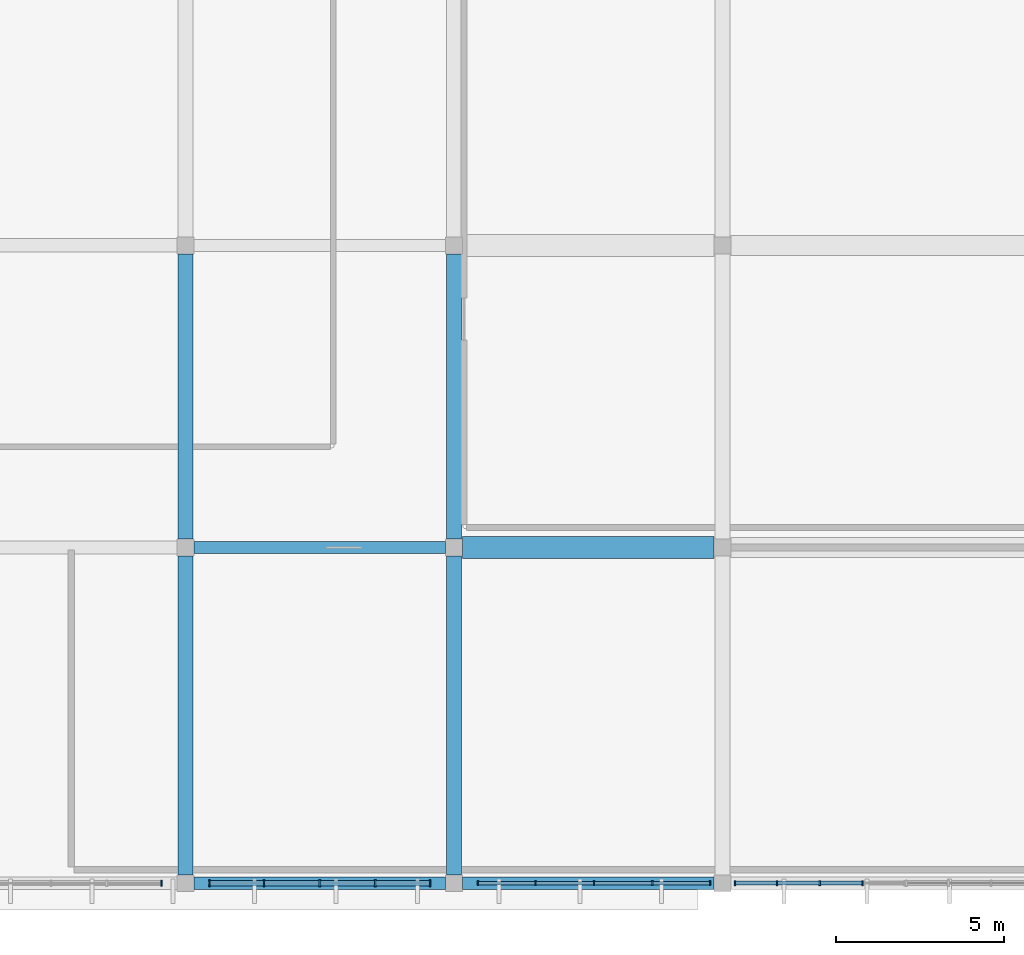
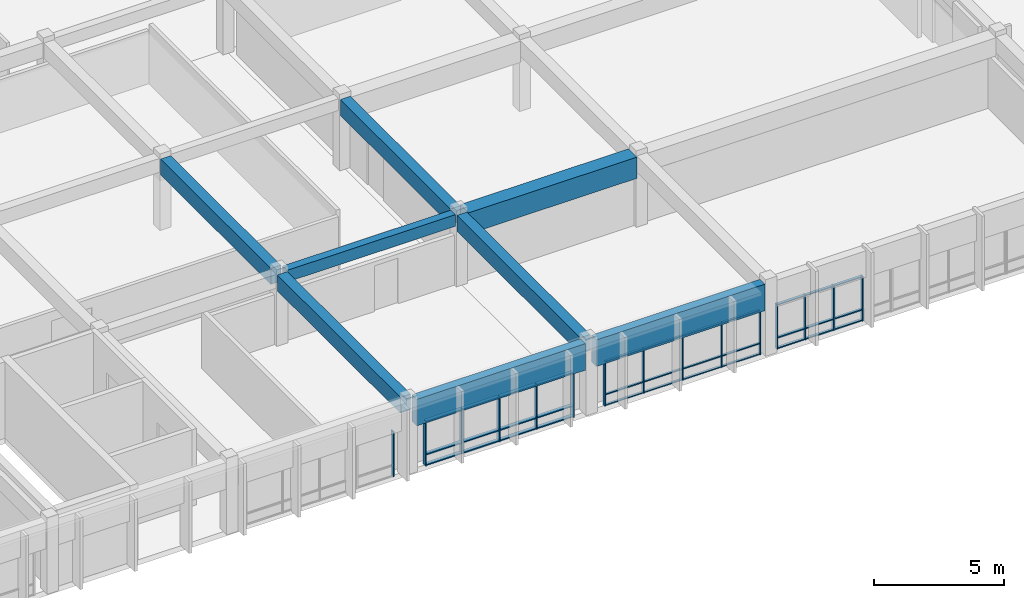
# One storey, part 8 of 33: 48 members, 8 beams, 4 elements without a shape of their own.
"""IFC4 building model written with IfcOpenShell, lengths in metres."""

import ifcopenshell
import ifcopenshell.guid

model = None  # the IFC model being written
_history = None  # IfcOwnerHistory: only IFC2X3 demands one
_inside = {}  # id of a spatial element -> (the spatial element, [elements in it])
_under = {}  # id of a project, library or spatial element -> (it, [spatial elements below it])
_declared = {}  # id of a project -> (the project, [libraries it declares])
_typed = {}  # id of a type object -> (the type object, [elements of that type])
_made_of = {}  # id of a material, layer set ... -> (it, [elements and type objects made of it])


def new_model(schema):
    """Start an empty IFC model of exactly this schema.

    Asked for "IFC4X3", IfcOpenShell would pick the latest addendum, in which some entities
    have other attributes; the version numbers below select the first issue.
    IFC2X3 requires an IfcOwnerHistory on every rooted entity: one is made here for all.
    """
    global model, _history
    if schema == "IFC4X3":
        model = ifcopenshell.file(schema_version=(4, 3, 0, 0))
    else:
        model = ifcopenshell.file(schema=schema)
    _inside.clear()
    _under.clear()
    _declared.clear()
    _typed.clear()
    _made_of.clear()
    _history = None
    if model.schema == "IFC2X3":
        org = make("IfcOrganization", Name="unknown")
        user = make(
            "IfcPersonAndOrganization",
            ThePerson=make("IfcPerson", FamilyName="unknown"),
            TheOrganization=org,
        )
        app = make(
            "IfcApplication",
            ApplicationDeveloper=org,
            Version="unknown",
            ApplicationFullName="unknown",
            ApplicationIdentifier="unknown",
        )
        _history = make(
            "IfcOwnerHistory",
            OwningUser=user,
            OwningApplication=app,
            ChangeAction="ADDED",
            CreationDate=0,
        )
    return model


def make(cls, **values):
    """One entity of the class cls with the attributes given. An attribute that is None is left unset."""
    return model.create_entity(
        cls, **{name: value for name, value in values.items() if value is not None}
    )


def rooted(cls, **values):
    """An entity with a GlobalId (a new one), such as an element, a storey or a relation."""
    return make(cls, GlobalId=ifcopenshell.guid.new(), OwnerHistory=_history, **values)


def si_unit(unit_type, name, prefix=None):
    """IfcSIUnit, for example si_unit("LENGTHUNIT", "METRE", prefix="MILLI")."""
    return make("IfcSIUnit", UnitType=unit_type, Prefix=prefix, Name=name)


def assignment(units):
    """IfcUnitAssignment: the units of a project."""
    return None if units is None else make("IfcUnitAssignment", Units=units)


def point(xyz):
    """IfcCartesianPoint."""
    return None if xyz is None else make("IfcCartesianPoint", Coordinates=xyz)


def direction(xyz):
    """IfcDirection."""
    return None if xyz is None else make("IfcDirection", DirectionRatios=xyz)


def frame(location, z_axis=None, x_axis=None):
    """IfcAxis2Placement3D, a coordinate frame: its origin and axes. An axis left out is left unset."""
    return make(
        "IfcAxis2Placement3D",
        Location=point(location),
        Axis=direction(z_axis),
        RefDirection=direction(x_axis),
    )


def frame_2d(location, x_axis=None):
    """IfcAxis2Placement2D, a coordinate frame in the plane: its origin and x axis."""
    return make(
        "IfcAxis2Placement2D", Location=point(location), RefDirection=direction(x_axis)
    )


def origin():
    """The frame at (0, 0, 0) with its axes left unset."""
    return frame((0.0, 0.0, 0.0))


def origin_2d():
    """The frame at (0, 0) in the plane with its x axis left unset."""
    return frame_2d((0.0, 0.0))


def place(relative_to, where):
    """IfcLocalPlacement: puts the frame where relative to a parent placement (None: the world)."""
    return make(
        "IfcLocalPlacement", PlacementRelTo=relative_to, RelativePlacement=where
    )


def context(
    kind, dimensions, precision=None, world=None, true_north=None, identifier=None
):
    """IfcGeometricRepresentationContext, for example the 3D "Model" context."""
    return make(
        "IfcGeometricRepresentationContext",
        ContextIdentifier=identifier,
        ContextType=kind,
        CoordinateSpaceDimension=dimensions,
        Precision=precision,
        WorldCoordinateSystem=world,
        TrueNorth=true_north,
    )


def subcontext(parent, identifier, kind, view, scale=None):
    """IfcGeometricRepresentationSubContext, for example "Body" below "Model"."""
    return make(
        "IfcGeometricRepresentationSubContext",
        ContextIdentifier=identifier,
        ContextType=kind,
        ParentContext=parent,
        TargetScale=scale,
        TargetView=view,
    )


def project(units=None, contexts=None):
    """IfcProject with its units and contexts."""
    return rooted(
        "IfcProject",
        Name="project",
        RepresentationContexts=contexts,
        UnitsInContext=assignment(units),
    )


def spatial(cls, under=None, at=None, **own):
    """A site, building, storey or space (cls), placed at a placement, below another one or the project."""
    s = rooted(cls, ObjectPlacement=at, **own)
    if under is not None:
        _under.setdefault(under.id(), (under, []))[1].append(s)
    return s


def profile(cls, at=None, kind="AREA", **sizes):
    """A parametric profile (cls). Its sizes go by their IFC names, for example OverallWidth=200.0."""
    return make(cls, ProfileType=kind, Position=at, **sizes)


def rectangle(**sizes):
    """IfcRectangleProfileDef."""
    return profile("IfcRectangleProfileDef", **sizes)


def extrude(swept, where, along, depth):
    """IfcExtrudedAreaSolid: the profile swept, set in the frame where, extruded along a direction by depth."""
    return make(
        "IfcExtrudedAreaSolid",
        SweptArea=swept,
        Position=where,
        ExtrudedDirection=direction(along),
        Depth=depth,
    )


def shape(context_of_items, identifier, shape_type, items):
    """IfcShapeRepresentation: the items that make up one representation, for example the "Body"."""
    return make(
        "IfcShapeRepresentation",
        ContextOfItems=context_of_items,
        RepresentationIdentifier=identifier,
        RepresentationType=shape_type,
        Items=items,
    )


def material(Name=None, Category=None):
    """IfcMaterial."""
    return make("IfcMaterial", Name=Name, Category=Category)


def material_profile(
    of_material, cross_section, Name=None, Category=None, Priority=None
):
    """IfcMaterialProfile: a cross section and its material."""
    return make(
        "IfcMaterialProfile",
        Name=Name,
        Material=of_material,
        Profile=cross_section,
        Priority=Priority,
        Category=Category,
    )


def profile_set(profiles, Name=None, composite=None):
    """IfcMaterialProfileSet."""
    return make(
        "IfcMaterialProfileSet",
        Name=Name,
        MaterialProfiles=profiles,
        CompositeProfile=composite,
    )


def made_of(thing, what):
    """Note that an element or type object is made of a material, layer set ...; save() writes the relation."""
    if what is not None:
        _made_of.setdefault(what.id(), (what, []))[1].append(thing)
    return thing


def type_object(cls, material=None, **own):
    """A type object (cls), such as IfcWallType, which elements share."""
    return made_of(rooted(cls, **own), material)


def element(
    cls,
    number,
    at=None,
    inside=None,
    cuts=None,
    type_object=None,
    material=None,
    context=None,
    identifier="Body",
    shape_type=None,
    held_by="IfcProductDefinitionShape",
    body=None,
    shapes=None,
    **own,
):
    """One element of the class cls, such as IfcWall. Its Tag is "e" and its number.

    at: its placement. inside: the storey or other place that contains it. cuts: it is an
    opening in that element (IfcRelVoidsElement). A single representation is given by context,
    identifier, shape_type and body (its items); several are given by shapes. held_by: the class
    of the entity that holds the representations. save() writes the other relations.
    """
    e = rooted(cls, Tag="e%d" % number, ObjectPlacement=at, **own)
    if body is not None:
        shapes = [shape(context, identifier, shape_type, body)]
    if shapes is not None:
        e.Representation = make(held_by, Representations=shapes)
    if inside is not None:
        _inside.setdefault(inside.id(), (inside, []))[1].append(e)
    if cuts is not None:
        rooted(
            "IfcRelVoidsElement", RelatingBuildingElement=cuts, RelatedOpeningElement=e
        )
    if type_object is not None:
        _typed.setdefault(type_object.id(), (type_object, []))[1].append(e)
    return made_of(e, material)


def aggregate(whole, parts):
    """IfcRelAggregates: a whole, such as a stair, and the parts it consists of."""
    return rooted("IfcRelAggregates", RelatingObject=whole, RelatedObjects=parts)


def save(model, path):
    """Write the relations noted so far, then the file.

    IfcRelAggregates (storeys below a building ...), IfcRelContainedInSpatialStructure (elements
    in a storey), IfcRelDefinesByType, IfcRelAssociatesMaterial and IfcRelDeclares: one each for
    every whole, place, type object, material and project.
    """
    for whole, parts in _under.values():
        aggregate(whole, parts)
    for where, things in _inside.values():
        rooted(
            "IfcRelContainedInSpatialStructure",
            RelatedElements=things,
            RelatingStructure=where,
        )
    for kind, things in _typed.values():
        rooted("IfcRelDefinesByType", RelatedObjects=things, RelatingType=kind)
    for what, things in _made_of.values():
        rooted("IfcRelAssociatesMaterial", RelatedObjects=things, RelatingMaterial=what)
    for by, libraries in _declared.values():
        rooted("IfcRelDeclares", RelatingContext=by, RelatedDefinitions=libraries)
    model.write(path)


model = new_model("IFC4")

# Units and contexts
model_context = context("Model", 3, precision=1e-05, world=origin(), true_north=direction((0.0, 1.0)))
body_context = subcontext(model_context, "Body", "Model", "MODEL_VIEW")
ifc_project = project(units=[si_unit("LENGTHUNIT", "METRE"), si_unit("AREAUNIT", "SQUARE_METRE"), si_unit("VOLUMEUNIT", "CUBIC_METRE"), si_unit("PLANEANGLEUNIT", "RADIAN"), si_unit("MASSUNIT", "GRAM", prefix="KILO")], contexts=[model_context])

# Site, building, storey
site_placement = place(None, origin())
site = spatial("IfcSite", under=ifc_project, at=site_placement, CompositionType="ELEMENT")
building_placement = place(site_placement, origin())
building = spatial("IfcBuilding", under=site, at=building_placement, Name="Larkveld Mobility Hub", CompositionType="ELEMENT")
storey_placement = place(building_placement, frame((0.0, 0.0, 15.60009765625)))
storey = spatial("IfcBuildingStorey", under=building, at=storey_placement, Name="L04", CompositionType="ELEMENT", Elevation=15.60009765625)

# Beams
ifc_material_1 = material(Name="Concrete C40/50", Category="concrete")
ifc_material_profile_1 = material_profile(ifc_material_1, rectangle(XDim=0.35009765625, YDim=0.550048828125, at=origin_2d()), Name="RC BM 350x550")
ifc_profile_set_1 = profile_set([ifc_material_profile_1], Name="Concrete C40/50")
beam_type_1 = type_object("IfcBeamType", Name="BM-RC3555", PredefinedType="BEAM", material=ifc_profile_set_1)
beam_1_placement = place(storey_placement, frame((136.25, 10.0, 3.0849609375), z_axis=(1.0, 0.0, 0.0), x_axis=(0.0, 1.0, 0.0)))
element("IfcBeam", 1, at=beam_1_placement, inside=storey, type_object=beam_type_1, Name="Primary E-W Girder L04-0863", PredefinedType="BEAM", context=body_context, shape_type="SweptSolid", body=[
    extrude(rectangle(XDim=0.35009765625, YDim=0.550048828125, at=origin_2d()), origin(), (0.0, 0.0, 1.0), 7.5),
])
ifc_material_profile_2 = material_profile(ifc_material_1, rectangle(XDim=0.449951171875, YDim=0.75, at=origin_2d()), Name="RC BM 450x750")
ifc_profile_set_2 = profile_set([ifc_material_profile_2], Name="Concrete C40/50")
beam_type_2 = type_object("IfcBeamType", Name="BM-RC4575", PredefinedType="BEAM", material=ifc_profile_set_2)
beam_2_placement = place(storey_placement, frame((136.0, 0.25, 2.98486328125), z_axis=(0.0, 1.0, 0.0), x_axis=(-1.0, 0.0, 0.0)))
element("IfcBeam", 2, at=beam_2_placement, inside=storey, type_object=beam_type_2, Name="Primary N-S Girder L04-0918", PredefinedType="BEAM", context=body_context, shape_type="SweptSolid", body=[
    extrude(rectangle(XDim=0.449951171875, YDim=0.75, at=origin_2d()), origin(), (0.0, 0.0, 1.0), 9.5),
])
beam_3_placement = place(storey_placement, frame((136.0, 10.25, 2.98486328125), z_axis=(0.0, 1.0, 0.0), x_axis=(-1.0, 0.0, 0.0)))
element("IfcBeam", 3, at=beam_3_placement, inside=storey, type_object=beam_type_2, Name="Primary N-S Girder L04-0919", PredefinedType="BEAM", context=body_context, shape_type="SweptSolid", body=[
    extrude(rectangle(XDim=0.449951171875, YDim=0.75, at=origin_2d()), origin(), (0.0, 0.0, 1.0), 8.5),
])
beam_4_placement = place(storey_placement, frame((144.0, 0.25, 2.98486328125), z_axis=(0.0, 1.0, 0.0), x_axis=(-1.0, 0.0, 0.0)))
element("IfcBeam", 4, at=beam_4_placement, inside=storey, type_object=beam_type_2, Name="Primary N-S Girder L04-0923", PredefinedType="BEAM", context=body_context, shape_type="SweptSolid", body=[
    extrude(rectangle(XDim=0.449951171875, YDim=0.75, at=origin_2d()), origin(), (0.0, 0.0, 1.0), 9.5),
])
beam_5_placement = place(storey_placement, frame((144.0, 10.25, 2.98486328125), z_axis=(0.0, 1.0, 0.0), x_axis=(-1.0, 0.0, 0.0)))
element("IfcBeam", 5, at=beam_5_placement, inside=storey, type_object=beam_type_2, Name="Primary N-S Girder L04-0924", PredefinedType="BEAM", context=body_context, shape_type="SweptSolid", body=[
    extrude(rectangle(XDim=0.449951171875, YDim=0.75, at=origin_2d()), origin(), (0.0, 0.0, 1.0), 8.5),
])
ifc_material_profile_3 = material_profile(ifc_material_1, rectangle(XDim=0.64990234375, YDim=1.0, at=origin_2d()), Name="RC BM 650x1000")
ifc_profile_set_3 = profile_set([ifc_material_profile_3], Name="Concrete C40/50")
beam_type_3 = type_object("IfcBeamType", Name="BM-RC65100", PredefinedType="BEAM", material=ifc_profile_set_3)
beam_6_placement = place(storey_placement, frame((144.25, 10.0, 2.85986328125), z_axis=(1.0, 0.0, 0.0), x_axis=(0.0, 1.0, 0.0)))
element("IfcBeam", 6, at=beam_6_placement, inside=storey, type_object=beam_type_3, Name="Primary E-W Girder L04-0864", PredefinedType="BEAM", context=body_context, shape_type="SweptSolid", body=[
    extrude(rectangle(XDim=0.64990234375, YDim=1.0, at=origin_2d()), origin(), (0.0, 0.0, 1.0), 7.5),
])
ifc_material_2 = material(Name="Precast concrete C50/60", Category="concrete")
ifc_material_profile_4 = material_profile(ifc_material_2, rectangle(XDim=0.3798828125, YDim=1.25, at=origin_2d()), Name="PC SP 380x1250")
ifc_profile_set_4 = profile_set([ifc_material_profile_4], Name="Precast concrete C50/60")
beam_type_4 = type_object("IfcBeamType", Name="BM-SP38125", PredefinedType="SPANDREL", material=ifc_profile_set_4)
for number, where, z_axis, x_axis, name in (
    (7, (136.25, 0.0, 2.73486328125), (1.0, 0.0, 0.0), (0.0, 1.0, 0.0), "Primary E-W Girder L04-0857"),
    (8, (144.25, 0.0, 2.73486328125), (1.0, 0.0, 0.0), (0.0, 1.0, 0.0), "Primary E-W Girder L04-0858"),
):
    element("IfcBeam", number, at=place(storey_placement, frame(where, z_axis=z_axis, x_axis=x_axis)), inside=storey, type_object=beam_type_4, Name=name, PredefinedType="SPANDREL", context=body_context, shape_type="SweptSolid", body=[
        extrude(rectangle(XDim=0.3798828125, YDim=1.25, at=origin_2d()), origin(), (0.0, 0.0, 1.0), 7.5),
    ])

# Curtain wall, members
ifc_material_3 = material(Name="Anodised aluminium 6063-T6", Category="aluminium")
curtain_wall_type_1 = type_object("IfcCurtainWallType", Name="CW-SYS-09", PredefinedType="NOTDEFINED", material=ifc_material_3)
curtain_wall_1_placement = place(storey_placement, origin())
curtain_wall_1 = element("IfcCurtainWall", 9, at=curtain_wall_1_placement, inside=storey, type_object=curtain_wall_type_1, Name="Service Wing South Glazing L04 CW-129", PredefinedType="NOTDEFINED")
ifc_material_profile_5 = material_profile(ifc_material_3, rectangle(XDim=0.050048828125, YDim=0.14990234375, at=origin_2d()), Name="ALU MULL 50x150")
ifc_profile_set_5 = profile_set([ifc_material_profile_5], Name="Anodised aluminium 6063-T6")
member_type_1 = type_object("IfcMemberType", Name="CW-MUL-01", PredefinedType="MULLION", material=ifc_profile_set_5)
member_1_placement = place(storey_placement, frame((152.375, 0.0, -0.002197265625), z_axis=(0.0, 0.0, 1.0), x_axis=(1.0, 0.0, 0.0)))
member_1 = element("IfcMember", 10, at=member_1_placement, type_object=member_type_1, Name="CW09 mullion 1", PredefinedType="MULLION", context=body_context, shape_type="SweptSolid", body=[
    extrude(rectangle(XDim=0.050048828125, YDim=0.14990234375, at=origin_2d()), origin(), (0.0, 0.0, 1.0), 2.112060546875),
])
member_2_placement = place(storey_placement, frame((153.625, 0.0, -0.002197265625), z_axis=(0.0, 0.0, 1.0), x_axis=(1.0, 0.0, 0.0)))
member_2 = element("IfcMember", 11, at=member_2_placement, type_object=member_type_1, Name="CW09 mullion 2", PredefinedType="MULLION", context=body_context, shape_type="SweptSolid", body=[
    extrude(rectangle(XDim=0.050048828125, YDim=0.14990234375, at=origin_2d()), origin(), (0.0, 0.0, 1.0), 2.112060546875),
])
member_3_placement = place(storey_placement, frame((154.89990234375, 0.0, -0.002197265625), z_axis=(0.0, 0.0, 1.0), x_axis=(1.0, 0.0, 0.0)))
member_3 = element("IfcMember", 12, at=member_3_placement, type_object=member_type_1, Name="CW09 mullion 3", PredefinedType="MULLION", context=body_context, shape_type="SweptSolid", body=[
    extrude(rectangle(XDim=0.050048828125, YDim=0.14990234375, at=origin_2d()), origin(), (0.0, 0.0, 1.0), 2.112060546875),
])
member_4_placement = place(storey_placement, frame((156.175048828125, 0.0, -0.002197265625), z_axis=(0.0, 0.0, 1.0), x_axis=(1.0, 0.0, 0.0)))
member_4 = element("IfcMember", 13, at=member_4_placement, type_object=member_type_1, Name="CW09 mullion 4", PredefinedType="MULLION", context=body_context, shape_type="SweptSolid", body=[
    extrude(rectangle(XDim=0.050048828125, YDim=0.14990234375, at=origin_2d()), origin(), (0.0, 0.0, 1.0), 2.112060546875),
])

# Curtain wall, member
curtain_wall_type_2 = type_object("IfcCurtainWallType", Name="CW-SYS-06", PredefinedType="NOTDEFINED", material=ifc_material_3)
curtain_wall_2_placement = place(storey_placement, origin())
curtain_wall_2 = element("IfcCurtainWall", 14, at=curtain_wall_2_placement, inside=storey, type_object=curtain_wall_type_2, Name="Service Centre South Curtain Wall L04 CW-126", PredefinedType="NOTDEFINED")
ifc_material_profile_6 = material_profile(ifc_material_3, rectangle(XDim=0.050048828125, YDim=0.179931640625, at=origin_2d()), Name="ALU MULL 50x180")
ifc_profile_set_6 = profile_set([ifc_material_profile_6], Name="Anodised aluminium 6063-T6")
member_type_2 = type_object("IfcMemberType", Name="CW-MUL-02", PredefinedType="MULLION", material=ifc_profile_set_6)
member_5_placement = place(storey_placement, frame((135.284912109375, 0.0, -0.002197265625), z_axis=(0.0, 0.0, 1.0), x_axis=(1.0, 0.0, 0.0)))
member_5 = element("IfcMember", 15, at=member_5_placement, type_object=member_type_2, Name="CW06 mullion 5", PredefinedType="MULLION", context=body_context, shape_type="SweptSolid", body=[
    extrude(rectangle(XDim=0.050048828125, YDim=0.179931640625, at=origin_2d()), origin(), (0.0, 0.0, 1.0), 2.112060546875),
])
aggregate(curtain_wall_2, [member_5])

# Curtain wall, members
curtain_wall_type_3 = type_object("IfcCurtainWallType", Name="CW-SYS-07", PredefinedType="NOTDEFINED", material=ifc_material_3)
curtain_wall_3_placement = place(storey_placement, origin())
curtain_wall_3 = element("IfcCurtainWall", 16, at=curtain_wall_3_placement, inside=storey, type_object=curtain_wall_type_3, Name="Service Centre South Curtain Wall L04 CW-127", PredefinedType="NOTDEFINED")
ifc_material_profile_7 = material_profile(ifc_material_3, rectangle(XDim=0.050048828125, YDim=0.2099609375, at=origin_2d()), Name="ALU MULL 50x210")
ifc_profile_set_7 = profile_set([ifc_material_profile_7], Name="Anodised aluminium 6063-T6")
member_type_3 = type_object("IfcMemberType", Name="CW-MUL-03", PredefinedType="MULLION", material=ifc_profile_set_7)
member_6_placement = place(storey_placement, frame((136.715087890625, 0.0, -0.002197265625), z_axis=(0.0, 0.0, 1.0), x_axis=(1.0, 0.0, 0.0)))
member_6 = element("IfcMember", 17, at=member_6_placement, type_object=member_type_3, Name="CW07 mullion 1", PredefinedType="MULLION", context=body_context, shape_type="SweptSolid", body=[
    extrude(rectangle(XDim=0.050048828125, YDim=0.2099609375, at=origin_2d()), origin(), (0.0, 0.0, 1.0), 2.112060546875),
])
member_7_placement = place(storey_placement, frame((138.344970703125, 0.0, -0.002197265625), z_axis=(0.0, 0.0, 1.0), x_axis=(1.0, 0.0, 0.0)))
member_7 = element("IfcMember", 18, at=member_7_placement, type_object=member_type_3, Name="CW07 mullion 2", PredefinedType="MULLION", context=body_context, shape_type="SweptSolid", body=[
    extrude(rectangle(XDim=0.050048828125, YDim=0.2099609375, at=origin_2d()), origin(), (0.0, 0.0, 1.0), 2.112060546875),
])
member_8_placement = place(storey_placement, frame((140.0, 0.0, -0.002197265625), z_axis=(0.0, 0.0, 1.0), x_axis=(1.0, 0.0, 0.0)))
member_8 = element("IfcMember", 19, at=member_8_placement, type_object=member_type_3, Name="CW07 mullion 3", PredefinedType="MULLION", context=body_context, shape_type="SweptSolid", body=[
    extrude(rectangle(XDim=0.050048828125, YDim=0.2099609375, at=origin_2d()), origin(), (0.0, 0.0, 1.0), 2.112060546875),
])
member_9_placement = place(storey_placement, frame((141.655029296875, 0.0, -0.002197265625), z_axis=(0.0, 0.0, 1.0), x_axis=(1.0, 0.0, 0.0)))
member_9 = element("IfcMember", 20, at=member_9_placement, type_object=member_type_3, Name="CW07 mullion 4", PredefinedType="MULLION", context=body_context, shape_type="SweptSolid", body=[
    extrude(rectangle(XDim=0.050048828125, YDim=0.2099609375, at=origin_2d()), origin(), (0.0, 0.0, 1.0), 2.112060546875),
])
member_10_placement = place(storey_placement, frame((143.284912109375, 0.0, -0.002197265625), z_axis=(0.0, 0.0, 1.0), x_axis=(1.0, 0.0, 0.0)))
member_10 = element("IfcMember", 21, at=member_10_placement, type_object=member_type_3, Name="CW07 mullion 5", PredefinedType="MULLION", context=body_context, shape_type="SweptSolid", body=[
    extrude(rectangle(XDim=0.050048828125, YDim=0.2099609375, at=origin_2d()), origin(), (0.0, 0.0, 1.0), 2.112060546875),
])

curtain_wall_type_4 = type_object("IfcCurtainWallType", Name="CW-SYS-08", PredefinedType="NOTDEFINED", material=ifc_material_3)
curtain_wall_4_placement = place(storey_placement, origin())
curtain_wall_4 = element("IfcCurtainWall", 22, at=curtain_wall_4_placement, inside=storey, type_object=curtain_wall_type_4, Name="Service Centre South Curtain Wall L04 CW-128", PredefinedType="NOTDEFINED")
ifc_material_profile_8 = material_profile(ifc_material_3, rectangle(XDim=0.050048828125, YDim=0.1298828125, at=origin_2d()), Name="ALU MULL 50x130")
ifc_profile_set_8 = profile_set([ifc_material_profile_8], Name="Anodised aluminium 6063-T6")
member_type_4 = type_object("IfcMemberType", Name="CW-MUL-04", PredefinedType="MULLION", material=ifc_profile_set_8)
member_11_placement = place(storey_placement, frame((144.715087890625, 0.0, -0.002197265625), z_axis=(0.0, 0.0, 1.0), x_axis=(1.0, 0.0, 0.0)))
member_11 = element("IfcMember", 23, at=member_11_placement, type_object=member_type_4, Name="CW08 mullion 1", PredefinedType="MULLION", context=body_context, shape_type="SweptSolid", body=[
    extrude(rectangle(XDim=0.050048828125, YDim=0.1298828125, at=origin_2d()), origin(), (0.0, 0.0, 1.0), 2.112060546875),
])
member_12_placement = place(storey_placement, frame((146.429931640625, 0.0, -0.002197265625), z_axis=(0.0, 0.0, 1.0), x_axis=(1.0, 0.0, 0.0)))
member_12 = element("IfcMember", 24, at=member_12_placement, type_object=member_type_4, Name="CW08 mullion 2", PredefinedType="MULLION", context=body_context, shape_type="SweptSolid", body=[
    extrude(rectangle(XDim=0.050048828125, YDim=0.1298828125, at=origin_2d()), origin(), (0.0, 0.0, 1.0), 2.112060546875),
])
member_13_placement = place(storey_placement, frame((148.169921875, 0.0, -0.002197265625), z_axis=(0.0, 0.0, 1.0), x_axis=(1.0, 0.0, 0.0)))
member_13 = element("IfcMember", 25, at=member_13_placement, type_object=member_type_4, Name="CW08 mullion 3", PredefinedType="MULLION", context=body_context, shape_type="SweptSolid", body=[
    extrude(rectangle(XDim=0.050048828125, YDim=0.1298828125, at=origin_2d()), origin(), (0.0, 0.0, 1.0), 2.112060546875),
])
member_14_placement = place(storey_placement, frame((149.909912109375, 0.0, -0.002197265625), z_axis=(0.0, 0.0, 1.0), x_axis=(1.0, 0.0, 0.0)))
member_14 = element("IfcMember", 26, at=member_14_placement, type_object=member_type_4, Name="CW08 mullion 4", PredefinedType="MULLION", context=body_context, shape_type="SweptSolid", body=[
    extrude(rectangle(XDim=0.050048828125, YDim=0.1298828125, at=origin_2d()), origin(), (0.0, 0.0, 1.0), 2.112060546875),
])
member_15_placement = place(storey_placement, frame((151.625, 0.0, -0.002197265625), z_axis=(0.0, 0.0, 1.0), x_axis=(1.0, 0.0, 0.0)))
member_15 = element("IfcMember", 27, at=member_15_placement, type_object=member_type_4, Name="CW08 mullion 5", PredefinedType="MULLION", context=body_context, shape_type="SweptSolid", body=[
    extrude(rectangle(XDim=0.050048828125, YDim=0.1298828125, at=origin_2d()), origin(), (0.0, 0.0, 1.0), 2.112060546875),
])

# Member
ifc_material_profile_9 = material_profile(ifc_material_3, rectangle(XDim=0.1201171875, YDim=0.050048828125, at=origin_2d()), Name="ALU TRAN 50x120")
ifc_profile_set_9 = profile_set([ifc_material_profile_9], Name="Anodised aluminium 6063-T6")
member_type_5 = type_object("IfcMemberType", Name="CW-TRN-01", PredefinedType="USERDEFINED", material=ifc_profile_set_9)
member_16_placement = place(storey_placement, frame((152.385009765625, 0.0, 0.02978515625), z_axis=(1.0, 0.0, 0.0), x_axis=(0.0, 1.0, 0.0)))
member_16 = element("IfcMember", 28, at=member_16_placement, type_object=member_type_5, Name="CW09 transom 1.1", ObjectType="TRANSOM", PredefinedType="USERDEFINED", context=body_context, shape_type="SweptSolid", body=[
    extrude(rectangle(XDim=0.1201171875, YDim=0.050048828125, at=origin_2d()), origin(), (0.0, 0.0, 1.0), 1.22509765625),
])

member_17_placement = place(storey_placement, frame((152.385009765625, 0.0, 0.52685546875), z_axis=(1.0, 0.0, 0.0), x_axis=(0.0, 1.0, 0.0)))
member_17 = element("IfcMember", 29, at=member_17_placement, type_object=member_type_5, Name="CW09 transom 1.2", ObjectType="TRANSOM", PredefinedType="USERDEFINED", context=body_context, shape_type="SweptSolid", body=[
    extrude(rectangle(XDim=0.1201171875, YDim=0.050048828125, at=origin_2d()), origin(), (0.0, 0.0, 1.0), 1.22509765625),
])

member_18_placement = place(storey_placement, frame((152.385009765625, 0.0, 2.077880859375), z_axis=(1.0, 0.0, 0.0), x_axis=(0.0, 1.0, 0.0)))
member_18 = element("IfcMember", 30, at=member_18_placement, type_object=member_type_5, Name="CW09 transom 1.3", ObjectType="TRANSOM", PredefinedType="USERDEFINED", context=body_context, shape_type="SweptSolid", body=[
    extrude(rectangle(XDim=0.1201171875, YDim=0.050048828125, at=origin_2d()), origin(), (0.0, 0.0, 1.0), 1.22509765625),
])

member_19_placement = place(storey_placement, frame((153.639892578125, 0.0, 0.02978515625), z_axis=(1.0, 0.0, 0.0), x_axis=(0.0, 1.0, 0.0)))
member_19 = element("IfcMember", 31, at=member_19_placement, type_object=member_type_5, Name="CW09 transom 2.1", ObjectType="TRANSOM", PredefinedType="USERDEFINED", context=body_context, shape_type="SweptSolid", body=[
    extrude(rectangle(XDim=0.1201171875, YDim=0.050048828125, at=origin_2d()), origin(), (0.0, 0.0, 1.0), 1.2451171875),
])

member_20_placement = place(storey_placement, frame((153.639892578125, 0.0, 0.52685546875), z_axis=(1.0, 0.0, 0.0), x_axis=(0.0, 1.0, 0.0)))
member_20 = element("IfcMember", 32, at=member_20_placement, type_object=member_type_5, Name="CW09 transom 2.2", ObjectType="TRANSOM", PredefinedType="USERDEFINED", context=body_context, shape_type="SweptSolid", body=[
    extrude(rectangle(XDim=0.1201171875, YDim=0.050048828125, at=origin_2d()), origin(), (0.0, 0.0, 1.0), 1.2451171875),
])

member_21_placement = place(storey_placement, frame((153.639892578125, 0.0, 2.077880859375), z_axis=(1.0, 0.0, 0.0), x_axis=(0.0, 1.0, 0.0)))
member_21 = element("IfcMember", 33, at=member_21_placement, type_object=member_type_5, Name="CW09 transom 2.3", ObjectType="TRANSOM", PredefinedType="USERDEFINED", context=body_context, shape_type="SweptSolid", body=[
    extrude(rectangle(XDim=0.1201171875, YDim=0.050048828125, at=origin_2d()), origin(), (0.0, 0.0, 1.0), 1.2451171875),
])

member_22_placement = place(storey_placement, frame((154.9150390625, 0.0, 0.02978515625), z_axis=(1.0, 0.0, 0.0), x_axis=(0.0, 1.0, 0.0)))
member_22 = element("IfcMember", 34, at=member_22_placement, type_object=member_type_5, Name="CW09 transom 3.1", ObjectType="TRANSOM", PredefinedType="USERDEFINED", context=body_context, shape_type="SweptSolid", body=[
    extrude(rectangle(XDim=0.1201171875, YDim=0.050048828125, at=origin_2d()), origin(), (0.0, 0.0, 1.0), 1.244873046875),
])

member_23_placement = place(storey_placement, frame((154.9150390625, 0.0, 0.52685546875), z_axis=(1.0, 0.0, 0.0), x_axis=(0.0, 1.0, 0.0)))
member_23 = element("IfcMember", 35, at=member_23_placement, type_object=member_type_5, Name="CW09 transom 3.2", ObjectType="TRANSOM", PredefinedType="USERDEFINED", context=body_context, shape_type="SweptSolid", body=[
    extrude(rectangle(XDim=0.1201171875, YDim=0.050048828125, at=origin_2d()), origin(), (0.0, 0.0, 1.0), 1.244873046875),
])

member_24_placement = place(storey_placement, frame((154.9150390625, 0.0, 2.077880859375), z_axis=(1.0, 0.0, 0.0), x_axis=(0.0, 1.0, 0.0)))
member_24 = element("IfcMember", 36, at=member_24_placement, type_object=member_type_5, Name="CW09 transom 3.3", ObjectType="TRANSOM", PredefinedType="USERDEFINED", context=body_context, shape_type="SweptSolid", body=[
    extrude(rectangle(XDim=0.1201171875, YDim=0.050048828125, at=origin_2d()), origin(), (0.0, 0.0, 1.0), 1.244873046875),
])

aggregate(curtain_wall_1, [member_1, member_2, member_3, member_4, member_16, member_17, member_18, member_19, member_20, member_21, member_22, member_23, member_24])

ifc_material_profile_10 = material_profile(ifc_material_3, rectangle(XDim=0.169921875, YDim=0.050048828125, at=origin_2d()), Name="ALU TRAN 50x170")
ifc_profile_set_10 = profile_set([ifc_material_profile_10], Name="Anodised aluminium 6063-T6")
member_type_6 = type_object("IfcMemberType", Name="CW-TRN-03", PredefinedType="USERDEFINED", material=ifc_profile_set_10)
member_25_placement = place(storey_placement, frame((136.72509765625, 0.0, 0.02978515625), z_axis=(1.0, 0.0, 0.0), x_axis=(0.0, 1.0, 0.0)))
member_25 = element("IfcMember", 37, at=member_25_placement, type_object=member_type_6, Name="CW07 transom 1.1", ObjectType="TRANSOM", PredefinedType="USERDEFINED", context=body_context, shape_type="SweptSolid", body=[
    extrude(rectangle(XDim=0.169921875, YDim=0.050048828125, at=origin_2d()), origin(), (0.0, 0.0, 1.0), 1.60498046875),
])

member_26_placement = place(storey_placement, frame((136.72509765625, 0.0, 0.52685546875), z_axis=(1.0, 0.0, 0.0), x_axis=(0.0, 1.0, 0.0)))
member_26 = element("IfcMember", 38, at=member_26_placement, type_object=member_type_6, Name="CW07 transom 1.2", ObjectType="TRANSOM", PredefinedType="USERDEFINED", context=body_context, shape_type="SweptSolid", body=[
    extrude(rectangle(XDim=0.169921875, YDim=0.050048828125, at=origin_2d()), origin(), (0.0, 0.0, 1.0), 1.60498046875),
])

member_27_placement = place(storey_placement, frame((136.72509765625, 0.0, 2.077880859375), z_axis=(1.0, 0.0, 0.0), x_axis=(0.0, 1.0, 0.0)))
member_27 = element("IfcMember", 39, at=member_27_placement, type_object=member_type_6, Name="CW07 transom 1.3", ObjectType="TRANSOM", PredefinedType="USERDEFINED", context=body_context, shape_type="SweptSolid", body=[
    extrude(rectangle(XDim=0.169921875, YDim=0.050048828125, at=origin_2d()), origin(), (0.0, 0.0, 1.0), 1.60498046875),
])

member_28_placement = place(storey_placement, frame((138.360107421875, 0.0, 0.02978515625), z_axis=(1.0, 0.0, 0.0), x_axis=(0.0, 1.0, 0.0)))
member_28 = element("IfcMember", 40, at=member_28_placement, type_object=member_type_6, Name="CW07 transom 2.1", ObjectType="TRANSOM", PredefinedType="USERDEFINED", context=body_context, shape_type="SweptSolid", body=[
    extrude(rectangle(XDim=0.169921875, YDim=0.050048828125, at=origin_2d()), origin(), (0.0, 0.0, 1.0), 1.625),
])

member_29_placement = place(storey_placement, frame((138.360107421875, 0.0, 0.52685546875), z_axis=(1.0, 0.0, 0.0), x_axis=(0.0, 1.0, 0.0)))
member_29 = element("IfcMember", 41, at=member_29_placement, type_object=member_type_6, Name="CW07 transom 2.2", ObjectType="TRANSOM", PredefinedType="USERDEFINED", context=body_context, shape_type="SweptSolid", body=[
    extrude(rectangle(XDim=0.169921875, YDim=0.050048828125, at=origin_2d()), origin(), (0.0, 0.0, 1.0), 1.625),
])

member_30_placement = place(storey_placement, frame((138.360107421875, 0.0, 2.077880859375), z_axis=(1.0, 0.0, 0.0), x_axis=(0.0, 1.0, 0.0)))
member_30 = element("IfcMember", 42, at=member_30_placement, type_object=member_type_6, Name="CW07 transom 2.3", ObjectType="TRANSOM", PredefinedType="USERDEFINED", context=body_context, shape_type="SweptSolid", body=[
    extrude(rectangle(XDim=0.169921875, YDim=0.050048828125, at=origin_2d()), origin(), (0.0, 0.0, 1.0), 1.625),
])

member_31_placement = place(storey_placement, frame((140.014892578125, 0.0, 0.02978515625), z_axis=(1.0, 0.0, 0.0), x_axis=(0.0, 1.0, 0.0)))
member_31 = element("IfcMember", 43, at=member_31_placement, type_object=member_type_6, Name="CW07 transom 3.1", ObjectType="TRANSOM", PredefinedType="USERDEFINED", context=body_context, shape_type="SweptSolid", body=[
    extrude(rectangle(XDim=0.169921875, YDim=0.050048828125, at=origin_2d()), origin(), (0.0, 0.0, 1.0), 1.625),
])

member_32_placement = place(storey_placement, frame((140.014892578125, 0.0, 0.52685546875), z_axis=(1.0, 0.0, 0.0), x_axis=(0.0, 1.0, 0.0)))
member_32 = element("IfcMember", 44, at=member_32_placement, type_object=member_type_6, Name="CW07 transom 3.2", ObjectType="TRANSOM", PredefinedType="USERDEFINED", context=body_context, shape_type="SweptSolid", body=[
    extrude(rectangle(XDim=0.169921875, YDim=0.050048828125, at=origin_2d()), origin(), (0.0, 0.0, 1.0), 1.625),
])

member_33_placement = place(storey_placement, frame((140.014892578125, 0.0, 2.077880859375), z_axis=(1.0, 0.0, 0.0), x_axis=(0.0, 1.0, 0.0)))
member_33 = element("IfcMember", 45, at=member_33_placement, type_object=member_type_6, Name="CW07 transom 3.3", ObjectType="TRANSOM", PredefinedType="USERDEFINED", context=body_context, shape_type="SweptSolid", body=[
    extrude(rectangle(XDim=0.169921875, YDim=0.050048828125, at=origin_2d()), origin(), (0.0, 0.0, 1.0), 1.625),
])

member_34_placement = place(storey_placement, frame((141.669921875, 0.0, 0.02978515625), z_axis=(1.0, 0.0, 0.0), x_axis=(0.0, 1.0, 0.0)))
member_34 = element("IfcMember", 46, at=member_34_placement, type_object=member_type_6, Name="CW07 transom 4.1", ObjectType="TRANSOM", PredefinedType="USERDEFINED", context=body_context, shape_type="SweptSolid", body=[
    extrude(rectangle(XDim=0.169921875, YDim=0.050048828125, at=origin_2d()), origin(), (0.0, 0.0, 1.0), 1.60498046875),
])

member_35_placement = place(storey_placement, frame((141.669921875, 0.0, 0.52685546875), z_axis=(1.0, 0.0, 0.0), x_axis=(0.0, 1.0, 0.0)))
member_35 = element("IfcMember", 47, at=member_35_placement, type_object=member_type_6, Name="CW07 transom 4.2", ObjectType="TRANSOM", PredefinedType="USERDEFINED", context=body_context, shape_type="SweptSolid", body=[
    extrude(rectangle(XDim=0.169921875, YDim=0.050048828125, at=origin_2d()), origin(), (0.0, 0.0, 1.0), 1.60498046875),
])

member_36_placement = place(storey_placement, frame((141.669921875, 0.0, 2.077880859375), z_axis=(1.0, 0.0, 0.0), x_axis=(0.0, 1.0, 0.0)))
member_36 = element("IfcMember", 48, at=member_36_placement, type_object=member_type_6, Name="CW07 transom 4.3", ObjectType="TRANSOM", PredefinedType="USERDEFINED", context=body_context, shape_type="SweptSolid", body=[
    extrude(rectangle(XDim=0.169921875, YDim=0.050048828125, at=origin_2d()), origin(), (0.0, 0.0, 1.0), 1.60498046875),
])

aggregate(curtain_wall_3, [member_6, member_7, member_8, member_9, member_10, member_25, member_26, member_27, member_28, member_29, member_30, member_31, member_32, member_33, member_34, member_35, member_36])

ifc_material_profile_11 = material_profile(ifc_material_3, rectangle(XDim=0.10009765625, YDim=0.050048828125, at=origin_2d()), Name="ALU TRAN 50x100")
ifc_profile_set_11 = profile_set([ifc_material_profile_11], Name="Anodised aluminium 6063-T6")
member_type_7 = type_object("IfcMemberType", Name="CW-TRN-04", PredefinedType="USERDEFINED", material=ifc_profile_set_11)
member_37_placement = place(storey_placement, frame((144.72509765625, 0.0, 0.02978515625), z_axis=(1.0, 0.0, 0.0), x_axis=(0.0, 1.0, 0.0)))
member_37 = element("IfcMember", 49, at=member_37_placement, type_object=member_type_7, Name="CW08 transom 1.1", ObjectType="TRANSOM", PredefinedType="USERDEFINED", context=body_context, shape_type="SweptSolid", body=[
    extrude(rectangle(XDim=0.10009765625, YDim=0.050048828125, at=origin_2d()), origin(), (0.0, 0.0, 1.0), 1.68994140625),
])

member_38_placement = place(storey_placement, frame((144.72509765625, 0.0, 0.52685546875), z_axis=(1.0, 0.0, 0.0), x_axis=(0.0, 1.0, 0.0)))
member_38 = element("IfcMember", 50, at=member_38_placement, type_object=member_type_7, Name="CW08 transom 1.2", ObjectType="TRANSOM", PredefinedType="USERDEFINED", context=body_context, shape_type="SweptSolid", body=[
    extrude(rectangle(XDim=0.10009765625, YDim=0.050048828125, at=origin_2d()), origin(), (0.0, 0.0, 1.0), 1.68994140625),
])

member_39_placement = place(storey_placement, frame((144.72509765625, 0.0, 2.077880859375), z_axis=(1.0, 0.0, 0.0), x_axis=(0.0, 1.0, 0.0)))
member_39 = element("IfcMember", 51, at=member_39_placement, type_object=member_type_7, Name="CW08 transom 1.3", ObjectType="TRANSOM", PredefinedType="USERDEFINED", context=body_context, shape_type="SweptSolid", body=[
    extrude(rectangle(XDim=0.10009765625, YDim=0.050048828125, at=origin_2d()), origin(), (0.0, 0.0, 1.0), 1.68994140625),
])

member_40_placement = place(storey_placement, frame((146.445068359375, 0.0, 0.02978515625), z_axis=(1.0, 0.0, 0.0), x_axis=(0.0, 1.0, 0.0)))
member_40 = element("IfcMember", 52, at=member_40_placement, type_object=member_type_7, Name="CW08 transom 2.1", ObjectType="TRANSOM", PredefinedType="USERDEFINED", context=body_context, shape_type="SweptSolid", body=[
    extrude(rectangle(XDim=0.10009765625, YDim=0.050048828125, at=origin_2d()), origin(), (0.0, 0.0, 1.0), 1.7099609375),
])

member_41_placement = place(storey_placement, frame((146.445068359375, 0.0, 0.52685546875), z_axis=(1.0, 0.0, 0.0), x_axis=(0.0, 1.0, 0.0)))
member_41 = element("IfcMember", 53, at=member_41_placement, type_object=member_type_7, Name="CW08 transom 2.2", ObjectType="TRANSOM", PredefinedType="USERDEFINED", context=body_context, shape_type="SweptSolid", body=[
    extrude(rectangle(XDim=0.10009765625, YDim=0.050048828125, at=origin_2d()), origin(), (0.0, 0.0, 1.0), 1.7099609375),
])

member_42_placement = place(storey_placement, frame((146.445068359375, 0.0, 2.077880859375), z_axis=(1.0, 0.0, 0.0), x_axis=(0.0, 1.0, 0.0)))
member_42 = element("IfcMember", 54, at=member_42_placement, type_object=member_type_7, Name="CW08 transom 2.3", ObjectType="TRANSOM", PredefinedType="USERDEFINED", context=body_context, shape_type="SweptSolid", body=[
    extrude(rectangle(XDim=0.10009765625, YDim=0.050048828125, at=origin_2d()), origin(), (0.0, 0.0, 1.0), 1.7099609375),
])

member_43_placement = place(storey_placement, frame((148.18505859375, 0.0, 0.02978515625), z_axis=(1.0, 0.0, 0.0), x_axis=(0.0, 1.0, 0.0)))
member_43 = element("IfcMember", 55, at=member_43_placement, type_object=member_type_7, Name="CW08 transom 3.1", ObjectType="TRANSOM", PredefinedType="USERDEFINED", context=body_context, shape_type="SweptSolid", body=[
    extrude(rectangle(XDim=0.10009765625, YDim=0.050048828125, at=origin_2d()), origin(), (0.0, 0.0, 1.0), 1.7099609375),
])

member_44_placement = place(storey_placement, frame((148.18505859375, 0.0, 0.52685546875), z_axis=(1.0, 0.0, 0.0), x_axis=(0.0, 1.0, 0.0)))
member_44 = element("IfcMember", 56, at=member_44_placement, type_object=member_type_7, Name="CW08 transom 3.2", ObjectType="TRANSOM", PredefinedType="USERDEFINED", context=body_context, shape_type="SweptSolid", body=[
    extrude(rectangle(XDim=0.10009765625, YDim=0.050048828125, at=origin_2d()), origin(), (0.0, 0.0, 1.0), 1.7099609375),
])

member_45_placement = place(storey_placement, frame((148.18505859375, 0.0, 2.077880859375), z_axis=(1.0, 0.0, 0.0), x_axis=(0.0, 1.0, 0.0)))
member_45 = element("IfcMember", 57, at=member_45_placement, type_object=member_type_7, Name="CW08 transom 3.3", ObjectType="TRANSOM", PredefinedType="USERDEFINED", context=body_context, shape_type="SweptSolid", body=[
    extrude(rectangle(XDim=0.10009765625, YDim=0.050048828125, at=origin_2d()), origin(), (0.0, 0.0, 1.0), 1.7099609375),
])

member_46_placement = place(storey_placement, frame((149.925048828125, 0.0, 0.02978515625), z_axis=(1.0, 0.0, 0.0), x_axis=(0.0, 1.0, 0.0)))
member_46 = element("IfcMember", 58, at=member_46_placement, type_object=member_type_7, Name="CW08 transom 4.1", ObjectType="TRANSOM", PredefinedType="USERDEFINED", context=body_context, shape_type="SweptSolid", body=[
    extrude(rectangle(XDim=0.10009765625, YDim=0.050048828125, at=origin_2d()), origin(), (0.0, 0.0, 1.0), 1.68994140625),
])

member_47_placement = place(storey_placement, frame((149.925048828125, 0.0, 0.52685546875), z_axis=(1.0, 0.0, 0.0), x_axis=(0.0, 1.0, 0.0)))
member_47 = element("IfcMember", 59, at=member_47_placement, type_object=member_type_7, Name="CW08 transom 4.2", ObjectType="TRANSOM", PredefinedType="USERDEFINED", context=body_context, shape_type="SweptSolid", body=[
    extrude(rectangle(XDim=0.10009765625, YDim=0.050048828125, at=origin_2d()), origin(), (0.0, 0.0, 1.0), 1.68994140625),
])

member_48_placement = place(storey_placement, frame((149.925048828125, 0.0, 2.077880859375), z_axis=(1.0, 0.0, 0.0), x_axis=(0.0, 1.0, 0.0)))
member_48 = element("IfcMember", 60, at=member_48_placement, type_object=member_type_7, Name="CW08 transom 4.3", ObjectType="TRANSOM", PredefinedType="USERDEFINED", context=body_context, shape_type="SweptSolid", body=[
    extrude(rectangle(XDim=0.10009765625, YDim=0.050048828125, at=origin_2d()), origin(), (0.0, 0.0, 1.0), 1.68994140625),
])

aggregate(curtain_wall_4, [member_11, member_12, member_13, member_14, member_15, member_37, member_38, member_39, member_40, member_41, member_42, member_43, member_44, member_45, member_46, member_47, member_48])

save(model, "model.ifc")
